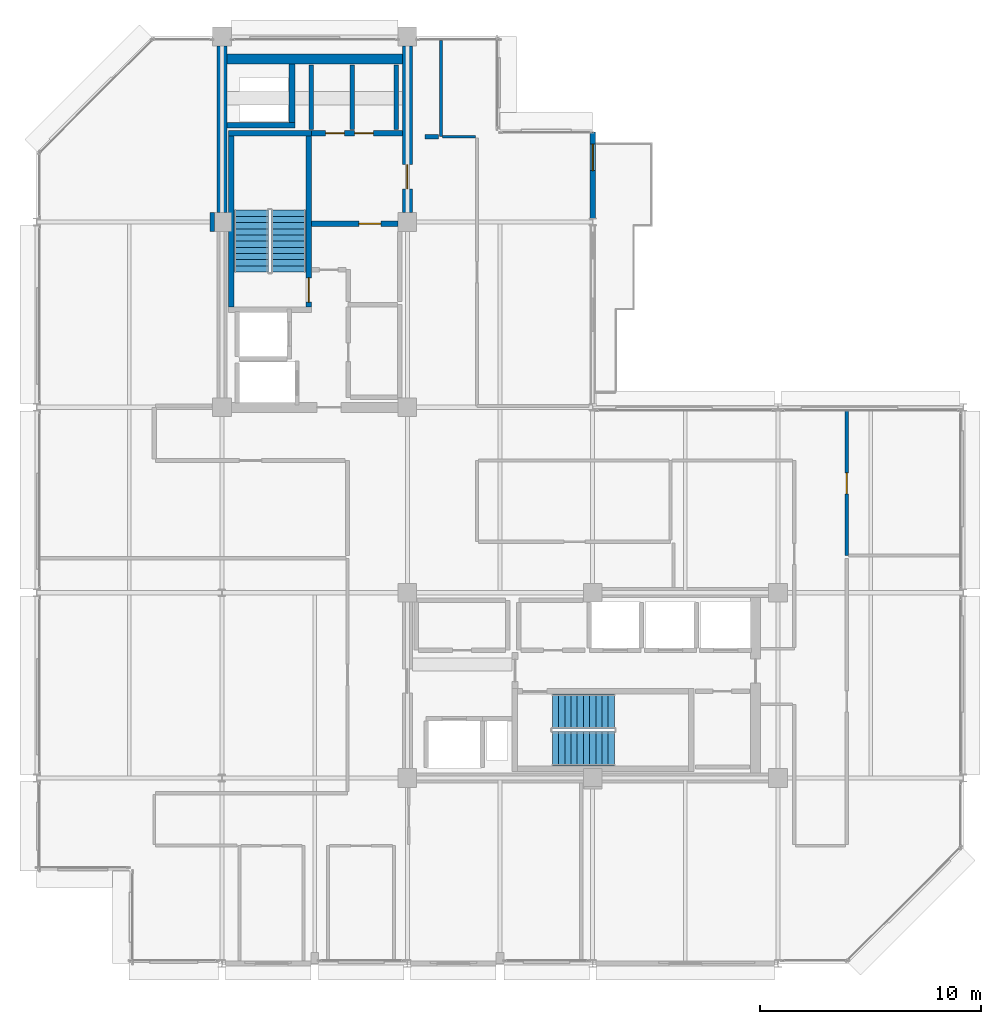
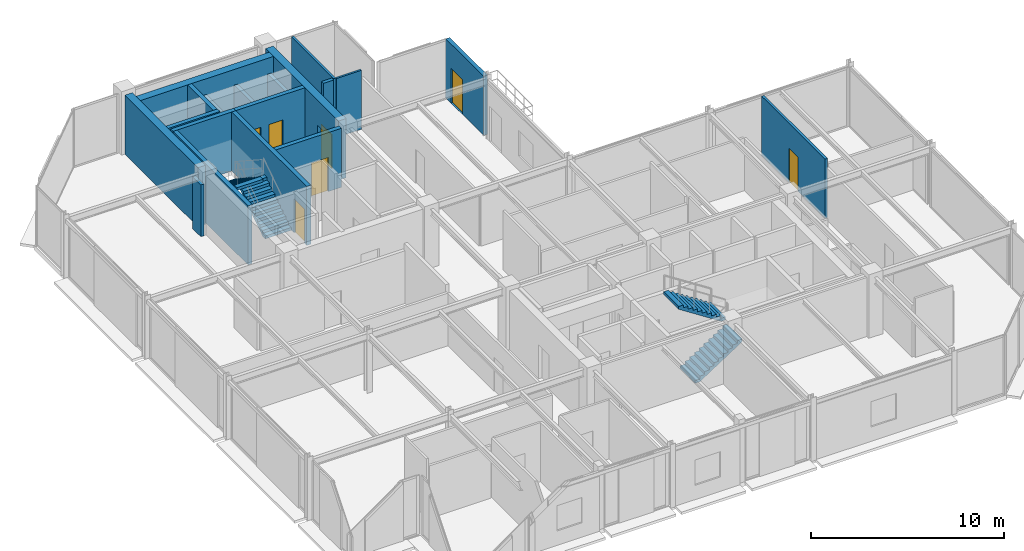
# One storey, part 23 of 27: 19 walls, 7 doors, 4 stair flights, 7 openings, 2 elements without a shape of their own.
"""IFC4 building model written with IfcOpenShell, lengths in metres."""

from ifc_helpers import new_model, si_unit, direction, frame, frame_2d, origin, place, context, subcontext, project, spatial, polyline, rectangle, outline, extrude, material, layer, layer_set, type_object, element, fill, aggregate, save


model = new_model("IFC4")

# Units and contexts
model_context = context("Model", 3, precision=1e-05, world=origin(), true_north=direction((0.0, 1.0)))
body_context = subcontext(model_context, "Body", "Model", "MODEL_VIEW")
ifc_project = project(units=[si_unit("LENGTHUNIT", "METRE"), si_unit("AREAUNIT", "SQUARE_METRE"), si_unit("VOLUMEUNIT", "CUBIC_METRE"), si_unit("PLANEANGLEUNIT", "RADIAN"), si_unit("MASSUNIT", "GRAM", prefix="KILO")], contexts=[model_context])

# Site, building, storey
site_placement = place(None, origin())
site = spatial("IfcSite", under=ifc_project, at=site_placement, CompositionType="ELEMENT")
building_placement = place(site_placement, origin())
building = spatial("IfcBuilding", under=site, at=building_placement, Name="Nerrivon Quay Data Exchange", CompositionType="ELEMENT")
storey_placement = place(building_placement, frame((0.0, 0.0, 254.199951171875)))
storey = spatial("IfcBuildingStorey", under=building, at=storey_placement, Name="L60", CompositionType="ELEMENT", Elevation=254.199951171875)

# Wall, opening, door
ifc_material_1 = material(Name="Architectural terracotta precast concrete N50 (50 MPa)", Category="masonry")
ifc_layer_1 = layer(ifc_material_1, 0.239990234375)
ifc_layer_set_1 = layer_set([ifc_layer_1], Name="Architectural terracotta precast concrete N50 (50 MPa)")
wall_type_1 = type_object("IfcWallType", Name="EW-PREC-240", PredefinedType="STANDARD", material=ifc_layer_set_1)
wall_1_placement = place(storey_placement, frame((25.199951171875, 37.679931640625, 0.0), z_axis=(0.0, 0.0, 1.0), x_axis=(0.0, -1.0, 0.0)))
wall_1 = element("IfcWall", 1, at=wall_1_placement, inside=storey, type_object=wall_type_1, Name="L60 Terrace Host Wall 22", PredefinedType="STANDARD", context=body_context, shape_type="SweptSolid", body=[
    extrude(rectangle(XDim=3.91650390625, YDim=0.239990234375, at=frame_2d((1.958251953125, 0.0))), origin(), (0.0, 0.0, 1.0), 3.72509765625),
])
opening_1_placement = place(wall_1_placement, frame((0.550048828125, 0.0, 0.0)))
opening_1 = element("IfcOpeningElement", 2, at=opening_1_placement, cuts=wall_1, Name="Opening TD1", PredefinedType="OPENING", context=body_context, shape_type="SweptSolid", body=[
    extrude(rectangle(XDim=1.199951171875, YDim=2.199951171875, at=frame_2d((0.60009765625, 1.10009765625))), frame((0.0, 0.1298828125, 0.0), z_axis=(0.0, -1.0, 0.0), x_axis=(1.0, 0.0, 0.0)), (0.0, 0.0, 1.0), 0.260009765625),
])
ifc_material_2 = material(Name="Double-glazed low-E solar control glass", Category="glass")
door_type_1 = type_object("IfcDoorType", Name="DR-TERR-1200x2200", OperationType="NOTDEFINED", PredefinedType="DOOR", material=ifc_material_2)
door_1_placement = place(opening_1_placement, origin())
door_1 = element("IfcDoor", 3, at=door_1_placement, inside=storey, type_object=door_type_1, Name="L60 Outdoor Terrace Access Door 22", OperationType="SINGLE_SWING_LEFT", OverallHeight=2.199951171875, OverallWidth=1.199951171875, PredefinedType="DOOR", context=body_context, shape_type="SweptSolid", body=[
    extrude(rectangle(XDim=1.199951171875, YDim=2.199951171875, at=frame_2d((0.60009765625, 1.10009765625))), frame((0.0, 0.02490234375, 0.0), z_axis=(0.0, -1.0, 0.0), x_axis=(1.0, 0.0, 0.0)), (0.0, 0.0, 1.0), 0.050048828125),
])
fill(opening_1, door_1)

# Walls
ifc_material_3 = material(Name="Concrete N50 (50 MPa)", Category="concrete")
ifc_layer_2 = layer(ifc_material_3, 0.449951171875)
ifc_layer_set_2 = layer_set([ifc_layer_2], Name="Concrete N50 (50 MPa)")
wall_type_2 = type_object("IfcWallType", Name="WALL-CW-550", PredefinedType="SHEAR", material=ifc_layer_set_2)
wall_2_placement = place(storey_placement, frame((8.39990234375, 34.02490234375, 0.0), z_axis=(0.0, 0.0, 1.0), x_axis=(0.0, 1.0, 0.0)))
element("IfcWall", 4, at=wall_2_placement, inside=storey, type_object=wall_type_2, Name="L60 West Split-Core Shear Wall WCW-W2", PredefinedType="SHEAR", context=body_context, shape_type="SweptSolid", body=[
    extrude(rectangle(XDim=7.550048828125, YDim=0.449951171875, at=frame_2d((3.77490234375, 0.0))), origin(), (0.0, 0.0, 1.0), 3.72509765625),
])
wall_3_placement = place(storey_placement, frame((8.625, 40.97509765625, 0.0), z_axis=(0.0, 0.0, 1.0), x_axis=(1.0, 0.0, 0.0)))
element("IfcWall", 5, at=wall_3_placement, inside=storey, type_object=wall_type_2, Name="L60 West Split-Core Shear Wall WCW-N1", PredefinedType="SHEAR", context=body_context, shape_type="SweptSolid", body=[
    extrude(rectangle(XDim=7.949951171875, YDim=0.449951171875, at=frame_2d((3.97509765625, 0.0))), origin(), (0.0, 0.0, 1.0), 3.72509765625),
])

# Wall, opening, door
wall_4_placement = place(storey_placement, frame((16.800048828125, 34.02490234375, 0.0), z_axis=(0.0, 0.0, 1.0), x_axis=(0.0, 1.0, 0.0)))
wall_4 = element("IfcWall", 6, at=wall_4_placement, inside=storey, type_object=wall_type_2, Name="L60 West Split-Core Shear Wall WCW-E1", PredefinedType="SHEAR", context=body_context, shape_type="SweptSolid", body=[
    extrude(rectangle(XDim=7.550048828125, YDim=0.449951171875, at=frame_2d((3.77490234375, 0.0))), origin(), (0.0, 0.0, 1.0), 3.72509765625),
])
opening_2_placement = place(wall_4_placement, frame((1.074951171875, 0.0, 0.0)))
opening_2 = element("IfcOpeningElement", 7, at=opening_2_placement, cuts=wall_4, Name="Opening FD-120", PredefinedType="OPENING", context=body_context, shape_type="SweptSolid", body=[
    extrude(rectangle(XDim=1.10009765625, YDim=2.14990234375, at=frame_2d((0.550048828125, 1.074951171875))), frame((0.0, 0.23486328125, 0.0), z_axis=(0.0, -1.0, 0.0), x_axis=(1.0, 0.0, 0.0)), (0.0, 0.0, 1.0), 0.469970703125),
])
ifc_material_4 = material(Name="Powder-coated galvanized steel sheet", Category="steel")
door_type_2 = type_object("IfcDoorType", Name="DR-FD120-1100", OperationType="NOTDEFINED", PredefinedType="DOOR", material=ifc_material_4)
door_2_placement = place(opening_2_placement, origin())
door_2 = element("IfcDoor", 8, at=door_2_placement, inside=storey, type_object=door_type_2, Name="L60 West Core Lobby Fire Door", OperationType="SINGLE_SWING_LEFT", OverallHeight=2.14990234375, OverallWidth=1.10009765625, PredefinedType="DOOR", context=body_context, shape_type="SweptSolid", body=[
    extrude(rectangle(XDim=1.10009765625, YDim=2.14990234375, at=frame_2d((0.550048828125, 1.074951171875))), frame((0.0, 0.02490234375, 0.0), z_axis=(0.0, -1.0, 0.0), x_axis=(1.0, 0.0, 0.0)), (0.0, 0.0, 1.0), 0.050048828125),
])
fill(opening_2, door_2)

# Walls
ifc_material_5 = material(Name="Gypsum plasterboard on cold-formed framing", Category="gypsum")
ifc_layer_3 = layer(ifc_material_5, 0.199951171875)
ifc_layer_set_3 = layer_set([ifc_layer_3], Name="Gypsum plasterboard on cold-formed framing")
wall_type_3 = type_object("IfcWallType", Name="WALL-FW-200", PredefinedType="PARTITIONING", material=ifc_layer_set_3)
for number, where, z_axis, x_axis, name in (
    (9, (14.300048828125, 37.780029296875, 0.0), (0.0, 0.0, 1.0), (0.0, 1.0, 0.0), "L60 Partition Cleaners Store"),
    (10, (12.449951171875, 40.699951171875, 0.0), (0.0, 0.0, 1.0), (0.0, -1.0, 0.0), "L60 Partition Cleaners Store"),
    (11, (16.300048828125, 37.780029296875, 0.0), (0.0, 0.0, 1.0), (0.0, 1.0, 0.0), "L60 Partition Janitor Closet"),
):
    element("IfcWall", number, at=place(storey_placement, frame(where, z_axis=z_axis, x_axis=x_axis)), inside=storey, type_object=wall_type_3, Name=name, PredefinedType="PARTITIONING", context=body_context, shape_type="SweptSolid", body=[
        extrude(rectangle(XDim=2.919921875, YDim=0.199951171875, at=frame_2d((1.4599609375, 0.0))), origin(), (0.0, 0.0, 1.0), 2.775146484375),
    ])
wall_5_placement = place(storey_placement, frame((17.60009765625, 37.4599609375, 0.0), z_axis=(0.0, 0.0, 1.0), x_axis=(1.0, 0.0, 0.0)))
element("IfcWall", 12, at=wall_5_placement, inside=storey, type_object=wall_type_3, Name="L60 Partition Colocation Data Workspace 1", PredefinedType="PARTITIONING", context=body_context, shape_type="SweptSolid", body=[
    extrude(rectangle(XDim=0.607177734375, YDim=0.199951171875, at=frame_2d((0.3037109375, 0.0))), origin(), (0.0, 0.0, 1.0), 3.72509765625),
])
wall_6_placement = place(storey_placement, frame((7.955810546875, 33.169189453125, 0.0), z_axis=(0.0, 0.0, 1.0), x_axis=(-0.000855919801, 0.999999633701, 0.0)))
element("IfcWall", 13, at=wall_6_placement, inside=storey, type_object=wall_type_3, Name="L60 Partition Colocation Data Workspace 1", PredefinedType="PARTITIONING", context=body_context, shape_type="SweptSolid", body=[
    extrude(rectangle(XDim=0.855712890625, YDim=0.199951171875, at=frame_2d((0.427734375, 0.0))), origin(), (0.0, 0.0, 1.0), 3.27099609375),
])
ifc_layer_4 = layer(ifc_material_5, 0.1201171875)
ifc_layer_set_4 = layer_set([ifc_layer_4], Name="Gypsum plasterboard on cold-formed framing")
wall_type_4 = type_object("IfcWallType", Name="WALL-PT-120", PredefinedType="PARTITIONING", material=ifc_layer_set_4)
wall_7_placement = place(storey_placement, frame((18.398681640625, 37.4599609375, 0.0), z_axis=(0.0, 0.0, 1.0), x_axis=(1.0, 0.0, 0.0)))
element("IfcWall", 14, at=wall_7_placement, inside=storey, type_object=wall_type_4, Name="L60 Partition Engineers Lounge", PredefinedType="PARTITIONING", context=body_context, shape_type="SweptSolid", body=[
    extrude(rectangle(XDim=1.501220703125, YDim=0.1201171875, at=frame_2d((0.75048828125, 0.0))), origin(), (0.0, 0.0, 1.0), 3.72509765625),
])
ifc_layer_5 = layer(ifc_material_5, 0.135009765625)
ifc_layer_set_5 = layer_set([ifc_layer_5], Name="Gypsum plasterboard on cold-formed framing")
wall_type_5 = type_object("IfcWallType", Name="WALL-PT-135", PredefinedType="PARTITIONING", material=ifc_layer_set_5)
wall_8_placement = place(storey_placement, frame((18.327392578125, 41.8310546875, 0.0), z_axis=(0.0, 0.0, 1.0), x_axis=(0.0, -1.0, 0.0)))
element("IfcWall", 15, at=wall_8_placement, inside=storey, type_object=wall_type_5, Name="L60 Partition Engineers Lounge", PredefinedType="PARTITIONING", context=body_context, shape_type="SweptSolid", body=[
    extrude(rectangle(XDim=4.37109375, YDim=0.135009765625, at=frame_2d((2.185546875, 0.0))), origin(), (0.0, 0.0, 1.0), 3.72509765625),
])

# Wall, opening, door
ifc_layer_6 = layer(ifc_material_5, 0.14990234375)
ifc_layer_set_6 = layer_set([ifc_layer_6], Name="Gypsum plasterboard on cold-formed framing")
wall_type_6 = type_object("IfcWallType", Name="WALL-PT-150", PredefinedType="PARTITIONING", material=ifc_layer_set_6)
wall_9_placement = place(storey_placement, frame((36.7099609375, 25.031005859375, 0.0), z_axis=(0.0, 0.0, 1.0), x_axis=(0.0, -1.0, 0.0)))
wall_9 = element("IfcWall", 16, at=wall_9_placement, inside=storey, type_object=wall_type_6, Name="L60 Partition Engineers Lounge", PredefinedType="PARTITIONING", context=body_context, shape_type="SweptSolid", body=[
    extrude(rectangle(XDim=6.55615234375, YDim=0.14990234375, at=frame_2d((3.278076171875, 0.0))), origin(), (0.0, 0.0, 1.0), 3.72509765625),
])
opening_3_placement = place(wall_9_placement, frame((2.802978515625, 0.0, 0.0)))
opening_3 = element("IfcOpeningElement", 17, at=opening_3_placement, cuts=wall_9, Name="Opening D-01", PredefinedType="OPENING", context=body_context, shape_type="SweptSolid", body=[
    extrude(rectangle(XDim=0.949951171875, YDim=2.14990234375, at=frame_2d((0.47509765625, 1.074951171875))), frame((0.0, 0.0849609375, 0.0), z_axis=(0.0, -1.0, 0.0), x_axis=(1.0, 0.0, 0.0)), (0.0, 0.0, 1.0), 0.169921875),
])
ifc_material_6 = material(Name="Engineered hardwood timber", Category="wood")
door_type_3 = type_object("IfcDoorType", Name="DR-INT-950", OperationType="NOTDEFINED", PredefinedType="DOOR", material=ifc_material_6)
door_3_placement = place(opening_3_placement, origin())
door_3 = element("IfcDoor", 18, at=door_3_placement, inside=storey, type_object=door_type_3, Name="L60 Door Engineers Lounge", OperationType="SINGLE_SWING_LEFT", OverallHeight=2.14990234375, OverallWidth=0.949951171875, PredefinedType="DOOR", context=body_context, shape_type="SweptSolid", body=[
    extrude(rectangle(XDim=0.949951171875, YDim=2.14990234375, at=frame_2d((0.47509765625, 1.074951171875))), frame((0.0, 0.02490234375, 0.0), z_axis=(0.0, -1.0, 0.0), x_axis=(1.0, 0.0, 0.0)), (0.0, 0.0, 1.0), 0.050048828125),
])
fill(opening_3, door_3)

# Wall
ifc_layer_7 = layer(ifc_material_3, 0.25)
ifc_layer_set_7 = layer_set([ifc_layer_7], Name="Concrete N50 (50 MPa)")
wall_type_7 = type_object("IfcWallType", Name="WALL-SW-250", PredefinedType="SHEAR", material=ifc_layer_set_7)
wall_10_placement = place(storey_placement, frame((12.449951171875, 37.625, 0.0), z_axis=(0.0, 0.0, 1.0), x_axis=(-1.0, 0.0, 0.0)))
element("IfcWall", 19, at=wall_10_placement, inside=storey, type_object=wall_type_7, Name="L60 ST01 Structural Stair Core Wall FAR", PredefinedType="SHEAR", context=body_context, shape_type="SweptSolid", body=[
    extrude(rectangle(XDim=3.75, YDim=0.25, at=frame_2d((1.875, 0.0))), origin(), (0.0, 0.0, 1.0), 3.72509765625),
])

# Wall, opening, door
wall_11_placement = place(storey_placement, frame((12.324951171875, 29.75, 0.0), z_axis=(0.0, 0.0, 1.0), x_axis=(0.0, 1.0, 0.0)))
wall_11 = element("IfcWall", 20, at=wall_11_placement, inside=storey, type_object=wall_type_7, Name="L60 ST01 Structural Stair Core Wall LEFT", PredefinedType="SHEAR", context=body_context, shape_type="SweptSolid", body=[
    extrude(rectangle(XDim=7.75, YDim=0.25, at=frame_2d((3.875, 0.0))), origin(), (0.0, 0.0, 1.0), 3.72509765625),
])
opening_4_placement = place(wall_11_placement, frame((0.219970703125, 0.0, 0.0)))
opening_4 = element("IfcOpeningElement", 21, at=opening_4_placement, cuts=wall_11, Name="Opening FD-120", PredefinedType="OPENING", context=body_context, shape_type="SweptSolid", body=[
    extrude(rectangle(XDim=1.10009765625, YDim=2.14990234375, at=frame_2d((0.550048828125, 1.074951171875))), frame((0.0, 0.135009765625, 0.0), z_axis=(0.0, -1.0, 0.0), x_axis=(1.0, 0.0, 0.0)), (0.0, 0.0, 1.0), 0.27001953125),
])
door_4_placement = place(opening_4_placement, origin())
door_4 = element("IfcDoor", 22, at=door_4_placement, inside=storey, type_object=door_type_2, Name="L60 Protected Stair Door ST01", OperationType="SINGLE_SWING_LEFT", OverallHeight=2.14990234375, OverallWidth=1.10009765625, PredefinedType="DOOR", context=body_context, shape_type="SweptSolid", body=[
    extrude(rectangle(XDim=1.10009765625, YDim=2.14990234375, at=frame_2d((0.550048828125, 1.074951171875))), frame((0.0, 0.02490234375, 0.0), z_axis=(0.0, -1.0, 0.0), x_axis=(1.0, 0.0, 0.0)), (0.0, 0.0, 1.0), 0.050048828125),
])
fill(opening_4, door_4)

# Walls
wall_12_placement = place(storey_placement, frame((8.824951171875, 29.75, 0.0), z_axis=(0.0, 0.0, 1.0), x_axis=(0.0, 1.0, 0.0)))
element("IfcWall", 23, at=wall_12_placement, inside=storey, type_object=wall_type_7, Name="L60 ST01 Structural Stair Core Wall RIGHT", PredefinedType="SHEAR", context=body_context, shape_type="SweptSolid", body=[
    extrude(rectangle(XDim=7.75, YDim=0.25, at=frame_2d((3.875, 0.0))), origin(), (0.0, 0.0, 1.0), 3.72509765625),
])
wall_13_placement = place(storey_placement, frame((8.625, 37.97509765625, 0.0), z_axis=(0.0, 0.0, 1.0), x_axis=(1.0, 0.0, 0.0)))
element("IfcWall", 24, at=wall_13_placement, inside=storey, type_object=wall_type_7, Name="L60 West Core MEP Riser Shaft Wall S", PredefinedType="SHEAR", context=body_context, shape_type="SweptSolid", body=[
    extrude(rectangle(XDim=3.074951171875, YDim=0.25, at=frame_2d((1.53759765625, 0.0))), origin(), (0.0, 0.0, 1.0), 3.72509765625),
])
wall_14_placement = place(storey_placement, frame((11.574951171875, 38.10009765625, 0.0), z_axis=(0.0, 0.0, 1.0), x_axis=(0.0, 1.0, 0.0)))
element("IfcWall", 25, at=wall_14_placement, inside=storey, type_object=wall_type_7, Name="L60 West Core MEP Riser Shaft Wall E", PredefinedType="SHEAR", context=body_context, shape_type="SweptSolid", body=[
    extrude(rectangle(XDim=2.64990234375, YDim=0.25, at=frame_2d((1.324951171875, 0.0))), origin(), (0.0, 0.0, 1.0), 3.72509765625),
])

# Wall, opening, door
wall_15_placement = place(storey_placement, frame((12.449951171875, 33.52001953125, 0.0), z_axis=(0.0, 0.0, 1.0), x_axis=(1.0, 0.0, 0.0)))
wall_15 = element("IfcWall", 26, at=wall_15_placement, inside=storey, type_object=wall_type_7, Name="L60 West Lobby Smoke-Stop Wall", PredefinedType="SHEAR", context=body_context, shape_type="SweptSolid", body=[
    extrude(rectangle(XDim=3.925048828125, YDim=0.25, at=frame_2d((1.96240234375, 0.0))), origin(), (0.0, 0.0, 1.0), 3.72509765625),
])
opening_5_placement = place(wall_15_placement, frame((2.14990234375, 0.0, 0.0)))
opening_5 = element("IfcOpeningElement", 27, at=opening_5_placement, cuts=wall_15, Name="Opening FD-60", PredefinedType="OPENING", context=body_context, shape_type="SweptSolid", body=[
    extrude(rectangle(XDim=1.0, YDim=2.14990234375, at=frame_2d((0.5, 1.074951171875))), frame((0.0, 0.135009765625, 0.0), z_axis=(0.0, -1.0, 0.0), x_axis=(1.0, 0.0, 0.0)), (0.0, 0.0, 1.0), 0.27001953125),
])
door_type_4 = type_object("IfcDoorType", Name="DR-FD60-1000", OperationType="NOTDEFINED", PredefinedType="DOOR", material=ifc_material_6)
door_5_placement = place(opening_5_placement, origin())
door_5 = element("IfcDoor", 28, at=door_5_placement, inside=storey, type_object=door_type_4, Name="L60 West Firefighting Lobby Fire Door", OperationType="SINGLE_SWING_LEFT", OverallHeight=2.14990234375, OverallWidth=1.0, PredefinedType="DOOR", context=body_context, shape_type="SweptSolid", body=[
    extrude(rectangle(XDim=1.0, YDim=2.14990234375, at=frame_2d((0.5, 1.074951171875))), frame((0.0, 0.02490234375, 0.0), z_axis=(0.0, -1.0, 0.0), x_axis=(1.0, 0.0, 0.0)), (0.0, 0.0, 1.0), 0.050048828125),
])
fill(opening_5, door_5)

# Wall, openings, doors
wall_16_placement = place(storey_placement, frame((12.449951171875, 37.625, 0.0), z_axis=(0.0, 0.0, 1.0), x_axis=(1.0, 0.0, 0.0)))
wall_16 = element("IfcWall", 29, at=wall_16_placement, inside=storey, type_object=wall_type_7, Name="L60 West Firefighting Lobby Wall", PredefinedType="SHEAR", context=body_context, shape_type="SweptSolid", body=[
    extrude(rectangle(XDim=4.125, YDim=0.25, at=frame_2d((2.0625, 0.0))), origin(), (0.0, 0.0, 1.0), 3.72509765625),
])
opening_6_placement = place(wall_16_placement, frame((0.6474609375, 0.0, 0.0)))
opening_6 = element("IfcOpeningElement", 30, at=opening_6_placement, cuts=wall_16, Name="Opening FD-60S", PredefinedType="OPENING", context=body_context, shape_type="SweptSolid", body=[
    extrude(rectangle(XDim=0.85009765625, YDim=2.14990234375, at=frame_2d((0.425048828125, 1.074951171875))), frame((0.0, 0.135009765625, 0.0), z_axis=(0.0, -1.0, 0.0), x_axis=(1.0, 0.0, 0.0)), (0.0, 0.0, 1.0), 0.27001953125),
])
opening_7_placement = place(wall_16_placement, frame((1.967529296875, 0.0, 0.0)))
opening_7 = element("IfcOpeningElement", 31, at=opening_7_placement, cuts=wall_16, Name="Opening FD-60S", PredefinedType="OPENING", context=body_context, shape_type="SweptSolid", body=[
    extrude(rectangle(XDim=0.85009765625, YDim=2.14990234375, at=frame_2d((0.425048828125, 1.074951171875))), frame((0.0, 0.135009765625, 0.0), z_axis=(0.0, -1.0, 0.0), x_axis=(1.0, 0.0, 0.0)), (0.0, 0.0, 1.0), 0.27001953125),
])
door_type_5 = type_object("IfcDoorType", Name="DR-FD60-850", OperationType="NOTDEFINED", PredefinedType="DOOR", material=ifc_material_6)
door_6_placement = place(opening_6_placement, origin())
door_6 = element("IfcDoor", 32, at=door_6_placement, inside=storey, type_object=door_type_5, Name="L60 Door Cleaners Store", OperationType="SINGLE_SWING_LEFT", OverallHeight=2.14990234375, OverallWidth=0.85009765625, PredefinedType="DOOR", context=body_context, shape_type="SweptSolid", body=[
    extrude(rectangle(XDim=0.85009765625, YDim=2.14990234375, at=frame_2d((0.425048828125, 1.074951171875))), frame((0.0, 0.02490234375, 0.0), z_axis=(0.0, -1.0, 0.0), x_axis=(1.0, 0.0, 0.0)), (0.0, 0.0, 1.0), 0.050048828125),
])
fill(opening_6, door_6)
door_7_placement = place(opening_7_placement, origin())
door_7 = element("IfcDoor", 33, at=door_7_placement, inside=storey, type_object=door_type_5, Name="L60 Door Janitor Closet", OperationType="SINGLE_SWING_RIGHT", OverallHeight=2.14990234375, OverallWidth=0.85009765625, PredefinedType="DOOR", context=body_context, shape_type="SweptSolid", body=[
    extrude(rectangle(XDim=0.85009765625, YDim=2.14990234375, at=frame_2d((0.425048828125, 1.074951171875))), frame((0.0, 0.02490234375, 0.0), z_axis=(0.0, -1.0, 0.0), x_axis=(1.0, 0.0, 0.0)), (0.0, 0.0, 1.0), 0.050048828125),
])
fill(opening_7, door_7)

# Stair, stair flights
stair_type = type_object("IfcStairType", Name="STAIR-DOG-40", PredefinedType="HALF_TURN_STAIR", material=ifc_material_3)
stair_1_placement = place(storey_placement, origin())
stair_1 = element("IfcStair", 34, at=stair_1_placement, inside=storey, type_object=stair_type, Name="L60 West Core Fire Stair ST01", PredefinedType="HALF_TURN_STAIR")
stair_flight_type = type_object("IfcStairFlightType", Name="FLIGHT-DOG-40", PredefinedType="STRAIGHT", material=ifc_material_3)
stair_flight_1_placement = place(storey_placement, frame((11.425048828125, 31.330078125, 0.0), z_axis=(0.0, 0.0, 1.0), x_axis=(0.0, 1.0, 0.0)))
stair_flight_1 = element("IfcStairFlight", 35, at=stair_flight_1_placement, type_object=stair_flight_type, Name="ST01 flight 1", NumberOfRisers=11, NumberOfTreads=10, PredefinedType="STRAIGHT", RiserHeight=0.181818182, TreadLength=0.28, context=body_context, shape_type="SweptSolid", body=[
    extrude(outline(polyline([(0.0, 0.0), (0.0, 0.181884765625), (0.280029296875, 0.181884765625), (0.280029296875, 0.363525390625), (0.56005859375, 0.363525390625), (0.56005859375, 0.54541015625), (0.840087890625, 0.54541015625), (0.840087890625, 0.727294921875), (1.1201171875, 0.727294921875), (1.1201171875, 0.9091796875), (1.39990234375, 0.9091796875), (1.39990234375, 1.0908203125), (1.679931640625, 1.0908203125), (1.679931640625, 1.272705078125), (1.9599609375, 1.272705078125), (1.9599609375, 1.45458984375), (2.239990234375, 1.45458984375), (2.239990234375, 1.636474609375), (2.52001953125, 1.636474609375), (2.52001953125, 1.818115234375), (2.800048828125, 1.818115234375), (2.800048828125, 2.0), (2.800048828125, 1.639404296875), (0.275146484375, 0.0), (0.0, 0.0)])), frame((0.0, 0.77490234375, 0.0), z_axis=(0.0, -1.0, 0.0), x_axis=(1.0, 0.0, 0.0)), (0.0, 0.0, 1.0), 1.550048828125),
])
stair_flight_2_placement = place(storey_placement, frame((9.72509765625, 34.1298828125, 2.0), z_axis=(0.0, 0.0, 1.0), x_axis=(0.0, -1.0, 0.0)))
stair_flight_2 = element("IfcStairFlight", 36, at=stair_flight_2_placement, type_object=stair_flight_type, Name="ST01 flight 2", NumberOfRisers=11, NumberOfTreads=10, PredefinedType="STRAIGHT", RiserHeight=0.181818182, TreadLength=0.28, context=body_context, shape_type="SweptSolid", body=[
    extrude(outline(polyline([(0.0, 0.0), (0.0, 0.181884765625), (0.280029296875, 0.181884765625), (0.280029296875, 0.363525390625), (0.56005859375, 0.363525390625), (0.56005859375, 0.54541015625), (0.840087890625, 0.54541015625), (0.840087890625, 0.727294921875), (1.1201171875, 0.727294921875), (1.1201171875, 0.9091796875), (1.39990234375, 0.9091796875), (1.39990234375, 1.0908203125), (1.679931640625, 1.0908203125), (1.679931640625, 1.272705078125), (1.9599609375, 1.272705078125), (1.9599609375, 1.45458984375), (2.239990234375, 1.45458984375), (2.239990234375, 1.636474609375), (2.52001953125, 1.636474609375), (2.52001953125, 1.818115234375), (2.800048828125, 1.818115234375), (2.800048828125, 2.0), (2.800048828125, 1.639404296875), (0.275146484375, 0.0), (0.0, 0.0)])), frame((0.0, 0.77490234375, 0.0), z_axis=(0.0, -1.0, 0.0), x_axis=(1.0, 0.0, 0.0)), (0.0, 0.0, 1.0), 1.550048828125),
])
aggregate(stair_1, [stair_flight_1, stair_flight_2])

stair_2_placement = place(storey_placement, origin())
stair_2 = element("IfcStair", 37, at=stair_2_placement, inside=storey, type_object=stair_type, Name="L60 East Core Fire Stair ST02", PredefinedType="HALF_TURN_STAIR")
stair_flight_3_placement = place(storey_placement, frame((23.3798828125, 9.72509765625, 0.0), z_axis=(0.0, 0.0, 1.0), x_axis=(1.0, 0.0, 0.0)))
stair_flight_3 = element("IfcStairFlight", 38, at=stair_flight_3_placement, type_object=stair_flight_type, Name="ST02 flight 1", NumberOfRisers=11, NumberOfTreads=10, PredefinedType="STRAIGHT", RiserHeight=0.181818182, TreadLength=0.28, context=body_context, shape_type="SweptSolid", body=[
    extrude(outline(polyline([(0.0, 0.0), (0.0, 0.181884765625), (0.280029296875, 0.181884765625), (0.280029296875, 0.363525390625), (0.56005859375, 0.363525390625), (0.56005859375, 0.54541015625), (0.840087890625, 0.54541015625), (0.840087890625, 0.727294921875), (1.1201171875, 0.727294921875), (1.1201171875, 0.9091796875), (1.39990234375, 0.9091796875), (1.39990234375, 1.0908203125), (1.679931640625, 1.0908203125), (1.679931640625, 1.272705078125), (1.9599609375, 1.272705078125), (1.9599609375, 1.45458984375), (2.239990234375, 1.45458984375), (2.239990234375, 1.636474609375), (2.52001953125, 1.636474609375), (2.52001953125, 1.818115234375), (2.800048828125, 1.818115234375), (2.800048828125, 2.0), (2.800048828125, 1.639404296875), (0.275146484375, 0.0), (0.0, 0.0)])), frame((0.0, 0.77490234375, 0.0), z_axis=(0.0, -1.0, 0.0), x_axis=(1.0, 0.0, 0.0)), (0.0, 0.0, 1.0), 1.550048828125),
])
stair_flight_4_placement = place(storey_placement, frame((26.179931640625, 11.425048828125, 2.0), z_axis=(0.0, 0.0, 1.0), x_axis=(-1.0, 0.0, 0.0)))
stair_flight_4 = element("IfcStairFlight", 39, at=stair_flight_4_placement, type_object=stair_flight_type, Name="ST02 flight 2", NumberOfRisers=11, NumberOfTreads=10, PredefinedType="STRAIGHT", RiserHeight=0.181818182, TreadLength=0.28, context=body_context, shape_type="SweptSolid", body=[
    extrude(outline(polyline([(0.0, 0.0), (0.0, 0.181884765625), (0.280029296875, 0.181884765625), (0.280029296875, 0.363525390625), (0.56005859375, 0.363525390625), (0.56005859375, 0.54541015625), (0.840087890625, 0.54541015625), (0.840087890625, 0.727294921875), (1.1201171875, 0.727294921875), (1.1201171875, 0.9091796875), (1.39990234375, 0.9091796875), (1.39990234375, 1.0908203125), (1.679931640625, 1.0908203125), (1.679931640625, 1.272705078125), (1.9599609375, 1.272705078125), (1.9599609375, 1.45458984375), (2.239990234375, 1.45458984375), (2.239990234375, 1.636474609375), (2.52001953125, 1.636474609375), (2.52001953125, 1.818115234375), (2.800048828125, 1.818115234375), (2.800048828125, 2.0), (2.800048828125, 1.639404296875), (0.275146484375, 0.0), (0.0, 0.0)])), frame((0.0, 0.77490234375, 0.0), z_axis=(0.0, -1.0, 0.0), x_axis=(1.0, 0.0, 0.0)), (0.0, 0.0, 1.0), 1.550048828125),
])
aggregate(stair_2, [stair_flight_3, stair_flight_4])

save(model, "model.ifc")
